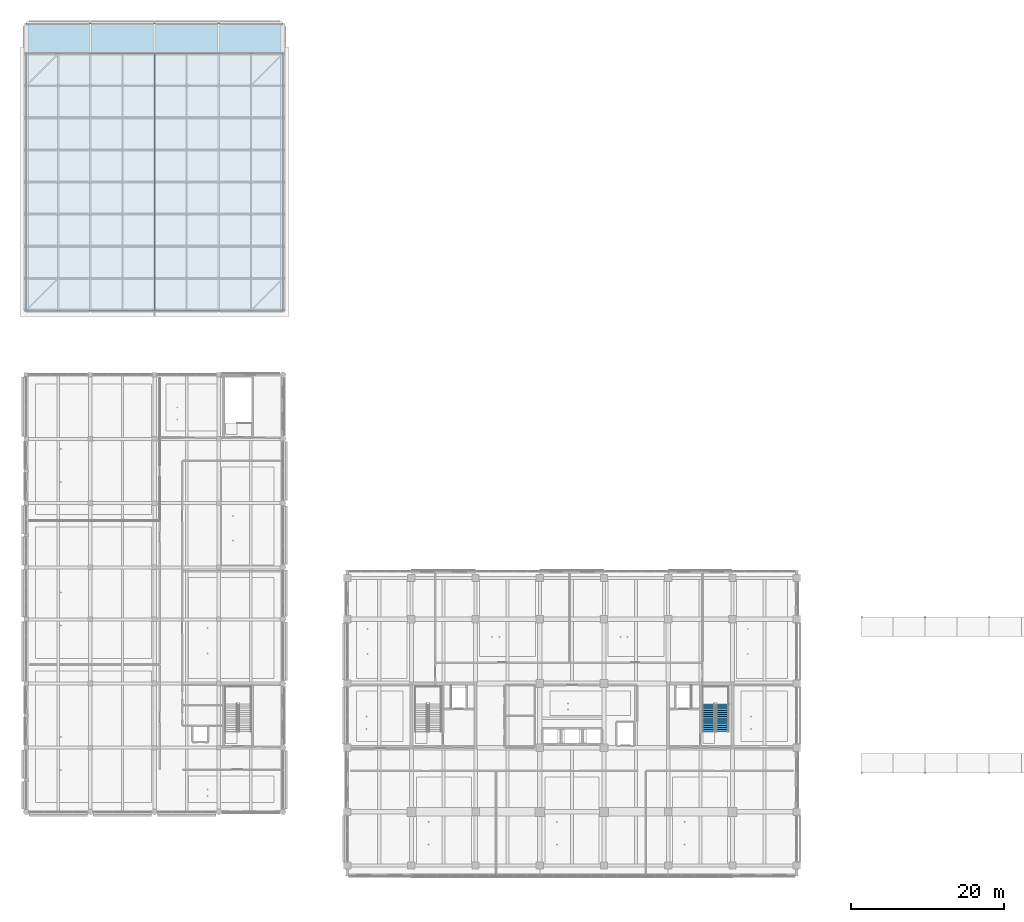
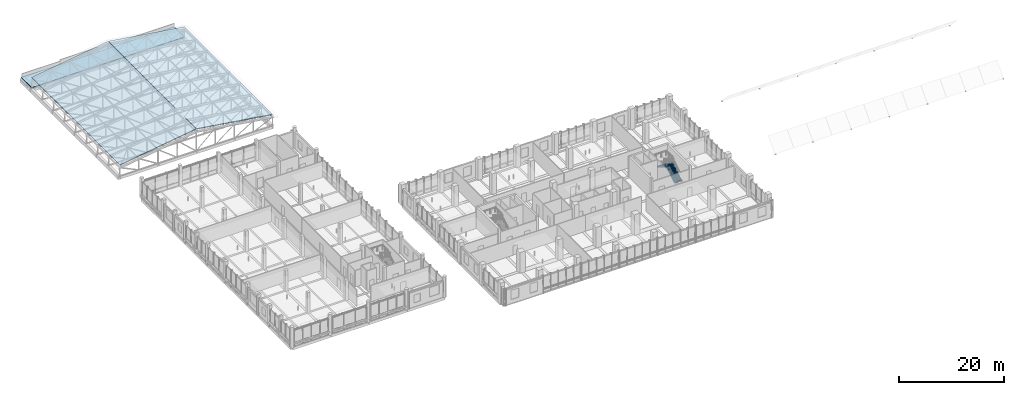
# One storey, part 59 of 122: 2 roofs, 2 stair flights, 1 element without a shape of its own.
"""IFC4 building model written with IfcOpenShell, lengths in metres."""

from ifc_helpers import new_model, si_unit, direction, frame, origin, place, context, subcontext, project, spatial, polyline, outline, extrude, material, layer, layer_set, type_object, element, aggregate, save


model = new_model("IFC4")

# Units and contexts
model_context = context("Model", 3, precision=1e-05, world=origin(), true_north=direction((0.0, 1.0)))
body_context = subcontext(model_context, "Body", "Model", "MODEL_VIEW")
ifc_project = project(units=[si_unit("LENGTHUNIT", "METRE"), si_unit("AREAUNIT", "SQUARE_METRE"), si_unit("VOLUMEUNIT", "CUBIC_METRE"), si_unit("PLANEANGLEUNIT", "RADIAN"), si_unit("MASSUNIT", "GRAM", prefix="KILO")], contexts=[model_context])

# Site, building, storey
site_placement = place(None, origin())
site = spatial("IfcSite", under=ifc_project, at=site_placement, CompositionType="ELEMENT")
building_placement = place(site_placement, origin())
building = spatial("IfcBuilding", under=site, at=building_placement, Name="Telukmera Botanical Conservatory", CompositionType="ELEMENT")
storey_placement = place(building_placement, frame((0.0, 0.0, 10.199951171875)))
storey = spatial("IfcBuildingStorey", under=building, at=storey_placement, Name="L02", CompositionType="ELEMENT", Elevation=10.199951171875)

# Stair, stair flights
ifc_material_1 = material(Name="Concrete C40/50", Category="concrete")
stair_type = type_object("IfcStairType", Name="ST-ESC-4800", PredefinedType="HALF_TURN_STAIR", material=ifc_material_1)
stair_placement = place(storey_placement, origin())
stair = element("IfcStair", 1, at=stair_placement, inside=storey, type_object=stair_type, Name="L02 Protected Escape Stair ST2", PredefinedType="HALF_TURN_STAIR")
stair_flight_type = type_object("IfcStairFlightType", Name="SF-ESC-4800", PredefinedType="STRAIGHT", material=ifc_material_1)
stair_flight_1_placement = place(storey_placement, frame((99.52001953125, 28.090087890625, 0.0), z_axis=(0.0, 0.0, 1.0), x_axis=(0.0, 1.0, 0.0)))
stair_flight_1 = element("IfcStairFlight", 2, at=stair_flight_1_placement, type_object=stair_flight_type, Name="ST2 flight 1", NumberOfRisers=14, NumberOfTreads=13, PredefinedType="STRAIGHT", RiserHeight=0.171428571, TreadLength=0.28, context=body_context, shape_type="SweptSolid", body=[
    extrude(outline(polyline([(0.0, 0.0), (0.0, 0.17138671875), (0.280029296875, 0.17138671875), (0.280029296875, 0.3427734375), (0.56005859375, 0.3427734375), (0.56005859375, 0.514404296875), (0.840087890625, 0.514404296875), (0.840087890625, 0.685791015625), (1.1201171875, 0.685791015625), (1.1201171875, 0.857177734375), (1.39990234375, 0.857177734375), (1.39990234375, 1.028564453125), (1.679931640625, 1.028564453125), (1.679931640625, 1.199951171875), (1.9599609375, 1.199951171875), (1.9599609375, 1.371337890625), (2.239990234375, 1.371337890625), (2.239990234375, 1.54296875), (2.52001953125, 1.54296875), (2.52001953125, 1.71435546875), (2.800048828125, 1.71435546875), (2.800048828125, 1.8857421875), (3.080078125, 1.8857421875), (3.080078125, 2.05712890625), (3.360107421875, 2.05712890625), (3.360107421875, 2.228515625), (3.639892578125, 2.228515625), (3.639892578125, 2.39990234375), (3.639892578125, 2.041015625), (0.30615234375, 0.0), (0.0, 0.0)])), frame((0.0, 0.830078125, 0.0), z_axis=(0.0, -1.0, 0.0), x_axis=(1.0, 0.0, 0.0)), (0.0, 0.0, 1.0), 1.659912109375),
])
stair_flight_2_placement = place(storey_placement, frame((97.699951171875, 31.72998046875, 2.400146484375), z_axis=(0.0, 0.0, 1.0), x_axis=(0.0, -1.0, 0.0)))
stair_flight_2 = element("IfcStairFlight", 3, at=stair_flight_2_placement, type_object=stair_flight_type, Name="ST2 flight 2", NumberOfRisers=14, NumberOfTreads=13, PredefinedType="STRAIGHT", RiserHeight=0.171428571, TreadLength=0.28, context=body_context, shape_type="SweptSolid", body=[
    extrude(outline(polyline([(0.0, 0.0), (0.0, 0.17138671875), (0.280029296875, 0.17138671875), (0.280029296875, 0.3427734375), (0.56005859375, 0.3427734375), (0.56005859375, 0.514404296875), (0.840087890625, 0.514404296875), (0.840087890625, 0.685791015625), (1.1201171875, 0.685791015625), (1.1201171875, 0.857177734375), (1.39990234375, 0.857177734375), (1.39990234375, 1.028564453125), (1.679931640625, 1.028564453125), (1.679931640625, 1.199951171875), (1.9599609375, 1.199951171875), (1.9599609375, 1.371337890625), (2.239990234375, 1.371337890625), (2.239990234375, 1.54296875), (2.52001953125, 1.54296875), (2.52001953125, 1.71435546875), (2.800048828125, 1.71435546875), (2.800048828125, 1.8857421875), (3.080078125, 1.8857421875), (3.080078125, 2.05712890625), (3.360107421875, 2.05712890625), (3.360107421875, 2.228515625), (3.639892578125, 2.228515625), (3.639892578125, 2.39990234375), (3.639892578125, 2.041015625), (0.30615234375, 0.0), (0.0, 0.0)])), frame((0.0, 0.830078125, 0.0), z_axis=(0.0, -1.0, 0.0), x_axis=(1.0, 0.0, 0.0)), (0.0, 0.0, 1.0), 1.659912109375),
])
aggregate(stair, [stair_flight_1, stair_flight_2])

# Roofs
ifc_material_2 = material(Name="Insulated standing-seam aluminium acoustic roof deck", Category="aluminium")
ifc_layer_1 = layer(ifc_material_2, 0.179931640625)
ifc_layer_set_1 = layer_set([ifc_layer_1], Name="Insulated standing-seam aluminium acoustic roof deck")
roof_type_1 = type_object("IfcRoofType", Name="Auditorium Pitched Standing Seam Acoustic Roof", PredefinedType="GABLE_ROOF", material=ifc_layer_set_1)
roof_1_placement = place(storey_placement, origin())
element("IfcRoof", 4, at=roof_1_placement, inside=storey, type_object=roof_type_1, Name="Auditorium Pitched Truss Acoustic Gable Roof", PredefinedType="GABLE_ROOF", context=body_context, shape_type="SweptSolid", body=[
    extrude(outline(polyline([(0.0, 0.0), (16.950373843875305, 0.0), (16.950373843875305, 33.60009765625), (0.0, 33.60009765625), (0.0, 0.0)])), frame((8.39990234375, 83.199951171875, 2.56494140625), z_axis=(-0.147820647347, 0.0, 0.989014184033), x_axis=(0.989014184033, 0.0, 0.147820647347)), (0.0, 0.0, -1.0), 0.179931640625),
    extrude(outline(polyline([(0.0, 0.0), (16.9501323853727, 0.0), (16.9501323853727, 33.60009765625), (0.0, 33.60009765625), (0.0, 0.0)])), frame((25.236083984375, 83.199951171875, 5.070556640625), z_axis=(0.147822753086, 0.0, 0.989013869301), x_axis=(0.989013869301, 0.0, -0.147822753086)), (0.0, 0.0, -1.0), 0.179931640625),
])
ifc_layer_2 = layer(ifc_material_2, 0.139892578125)
ifc_layer_set_2 = layer_set([ifc_layer_2], Name="Insulated standing-seam aluminium acoustic roof deck")
roof_type_2 = type_object("IfcRoofType", Name="Monsoon Overhanging Canopy Flat Roof", PredefinedType="FLAT_ROOF", material=ifc_layer_set_2)
roof_2_placement = place(storey_placement, origin())
element("IfcRoof", 5, at=roof_2_placement, inside=storey, type_object=roof_type_2, Name="Auditorium North Portico Canopy Flat Roof", PredefinedType="FLAT_ROOF", context=body_context, shape_type="SweptSolid", body=[
    extrude(outline(polyline([(8.39990234375, 116.800048828125), (42.0, 116.800048828125), (42.0, 120.800048828125), (8.39990234375, 120.800048828125), (8.39990234375, 116.800048828125)])), origin(), (0.0, 0.0, 1.0), 0.16015625),
])

save(model, "model.ifc")
